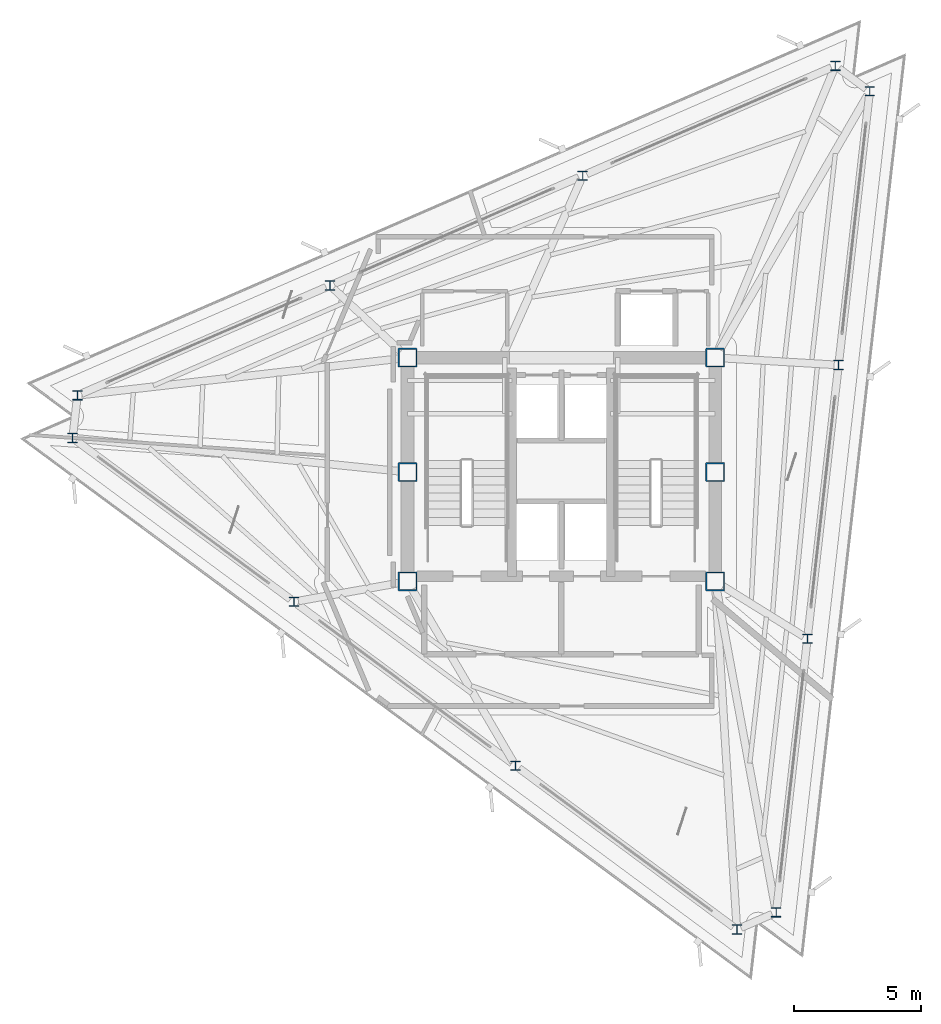
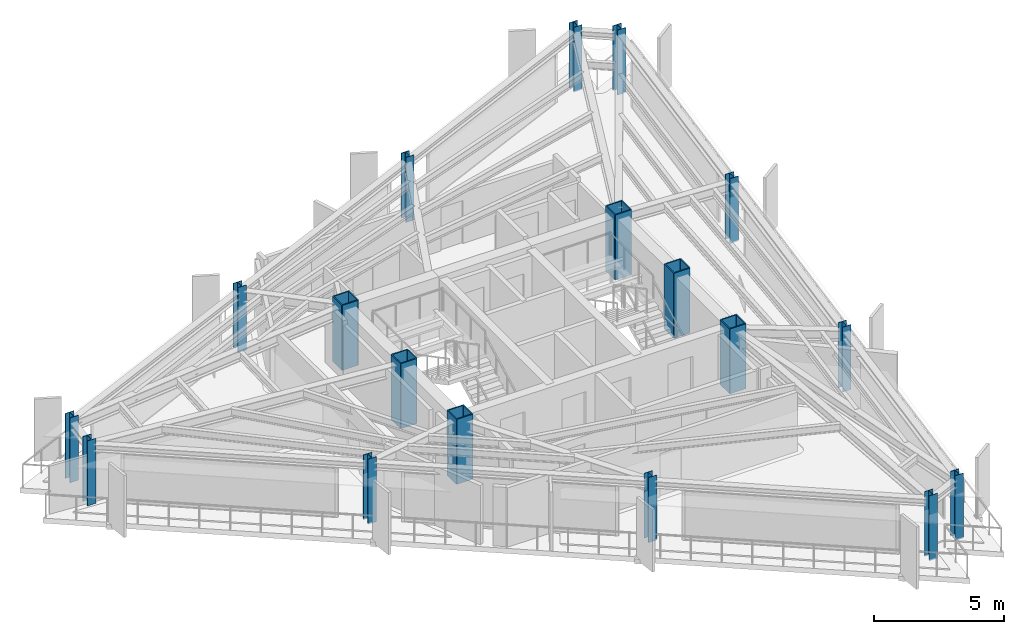
# One storey, part 1 of 9: 18 columns.
"""IFC4 building model written with IfcOpenShell, lengths in metres."""

from ifc_helpers import new_model, si_unit, direction, frame, origin, origin_2d, place, context, subcontext, project, spatial, hollow_rectangle, i_section, extrude, material, material_profile, profile_set, type_object, element, save


model = new_model("IFC4")

# Units and contexts
model_context = context("Model", 3, precision=1e-05, world=origin(), true_north=direction((0.0, 1.0)))
body_context = subcontext(model_context, "Body", "Model", "MODEL_VIEW")
ifc_project = project(units=[si_unit("LENGTHUNIT", "METRE"), si_unit("AREAUNIT", "SQUARE_METRE"), si_unit("VOLUMEUNIT", "CUBIC_METRE"), si_unit("PLANEANGLEUNIT", "RADIAN"), si_unit("MASSUNIT", "GRAM", prefix="KILO")], contexts=[model_context])

# Site, building, storey
site_placement = place(None, origin())
site = spatial("IfcSite", under=ifc_project, at=site_placement, CompositionType="ELEMENT")
building_placement = place(site_placement, origin())
building = spatial("IfcBuilding", under=site, at=building_placement, Name="Rocaltana Carrier Exchange", CompositionType="ELEMENT")
storey_placement = place(building_placement, frame((0.0, 0.0, 233.1201171875)))
storey = spatial("IfcBuildingStorey", under=building, at=storey_placement, Name="L74", CompositionType="ELEMENT", Elevation=233.1201171875)

# Columns
ifc_material_1 = material(Name="Steel S460", Category="steel")
ifc_material_profile_1 = material_profile(ifc_material_1, hollow_rectangle(XDim=0.75, YDim=0.75, WallThickness=0.050048828125, InnerFilletRadius=0.02001953125, OuterFilletRadius=0.0400390625, at=origin_2d()), Name="BOX750X750X50")
ifc_profile_set_1 = profile_set([ifc_material_profile_1], Name="Steel S460")
column_type_1 = type_object("IfcColumnType", Name="Core Mega-Column BOX750", PredefinedType="COLUMN", material=ifc_profile_set_1)
for number, where, z_axis, x_axis, name in (
    (1, (-6.050048828125, 4.5, 0.0), (0.0, 0.0, 1.0), (1.0, 0.0, 0.0), "L74 Core Mega-Column MC1"),
    (2, (6.050048828125, 4.5, 0.0), (0.0, 0.0, 1.0), (1.0, 0.0, 0.0), "L74 Core Mega-Column MC2"),
    (3, (-6.050048828125, 0.0, 0.0), (0.0, 0.0, 1.0), (1.0, 0.0, 0.0), "L74 Core Mega-Column MC3"),
    (4, (6.050048828125, 0.0, 0.0), (0.0, 0.0, 1.0), (1.0, 0.0, 0.0), "L74 Core Mega-Column MC4"),
    (5, (-6.050048828125, -4.300048828125, 0.0), (0.0, 0.0, 1.0), (1.0, 0.0, 0.0), "L74 Core Mega-Column MC5"),
    (6, (6.050048828125, -4.300048828125, 0.0), (0.0, 0.0, 1.0), (1.0, 0.0, 0.0), "L74 Core Mega-Column MC6"),
):
    element("IfcColumn", number, at=place(storey_placement, frame(where, z_axis=z_axis, x_axis=x_axis)), inside=storey, type_object=column_type_1, Name=name, PredefinedType="COLUMN", context=body_context, shape_type="SweptSolid", body=[
        extrude(hollow_rectangle(XDim=0.75, YDim=0.75, WallThickness=0.050048828125, InnerFilletRadius=0.02001953125, OuterFilletRadius=0.0400390625, at=origin_2d()), origin(), (0.0, 0.0, 1.0), 3.039794921875),
    ])
ifc_material_2 = material(Name="Steel S355", Category="steel")
ifc_material_profile_2 = material_profile(ifc_material_2, i_section(OverallWidth=0.37109375, OverallDepth=0.364013671875, WebThickness=0.01318359375, FlangeThickness=0.021728515625, FilletRadius=0.014892578125, at=origin_2d()), Name="W14X109")
ifc_profile_set_2 = profile_set([ifc_material_profile_2], Name="Steel S355")
column_type_2 = type_object("IfcColumnType", Name="Crown Column W14X109", PredefinedType="COLUMN", material=ifc_profile_set_2)
for number, where, z_axis, x_axis, name in (
    (7, (8.448486328125, -17.317626953125, 0.0), (0.0, 0.0, 1.0), (1.0, 0.0, 0.0), "L74 Perimeter Column TC01"),
    (8, (9.675048828125, -6.553955078125, 0.0), (0.0, 0.0, 1.0), (1.0, 0.0, 0.0), "L74 Perimeter Column TC02"),
    (9, (10.9013671875, 4.209716796875, 0.0), (0.0, 0.0, 1.0), (1.0, 0.0, 0.0), "L74 Perimeter Column TC03"),
    (10, (12.127685546875, 14.973388671875, 0.0), (0.0, 0.0, 1.0), (1.0, 0.0, 0.0), "L74 Perimeter Column TC04"),
    (11, (10.773193359375, 15.9755859375, 0.0), (0.0, 0.0, 1.0), (1.0, 0.0, 0.0), "L74 Perimeter Column TC05"),
    (12, (0.83837890625, 11.65576171875, 0.0), (0.0, 0.0, 1.0), (1.0, 0.0, 0.0), "L74 Perimeter Column TC06"),
    (13, (-9.096435546875, 7.3359375, 0.0), (0.0, 0.0, 1.0), (1.0, 0.0, 0.0), "L74 Perimeter Column TC07"),
    (14, (-19.03125, 3.01611328125, 0.0), (0.0, 0.0, 1.0), (1.0, 0.0, 0.0), "L74 Perimeter Column TC08"),
    (15, (-19.221923828125, 1.342041015625, 0.0), (0.0, 0.0, 1.0), (1.0, 0.0, 0.0), "L74 Perimeter Column TC09"),
    (16, (-10.513427734375, -5.101806640625, 0.0), (0.0, 0.0, 1.0), (1.0, 0.0, 0.0), "L74 Perimeter Column TC10"),
    (17, (-1.804931640625, -11.545654296875, 0.0), (0.0, 0.0, 1.0), (1.0, 0.0, 0.0), "L74 Perimeter Column TC11"),
    (18, (6.9033203125, -17.989501953125, 0.0), (0.0, 0.0, 1.0), (1.0, 0.0, 0.0), "L74 Perimeter Column TC12"),
):
    element("IfcColumn", number, at=place(storey_placement, frame(where, z_axis=z_axis, x_axis=x_axis)), inside=storey, type_object=column_type_2, Name=name, PredefinedType="COLUMN", context=body_context, shape_type="SweptSolid", body=[
        extrude(i_section(OverallWidth=0.37109375, OverallDepth=0.364013671875, WebThickness=0.01318359375, FlangeThickness=0.021728515625, FilletRadius=0.014892578125, at=origin_2d()), origin(), (0.0, 0.0, 1.0), 3.039794921875),
    ])

save(model, "model.ifc")
